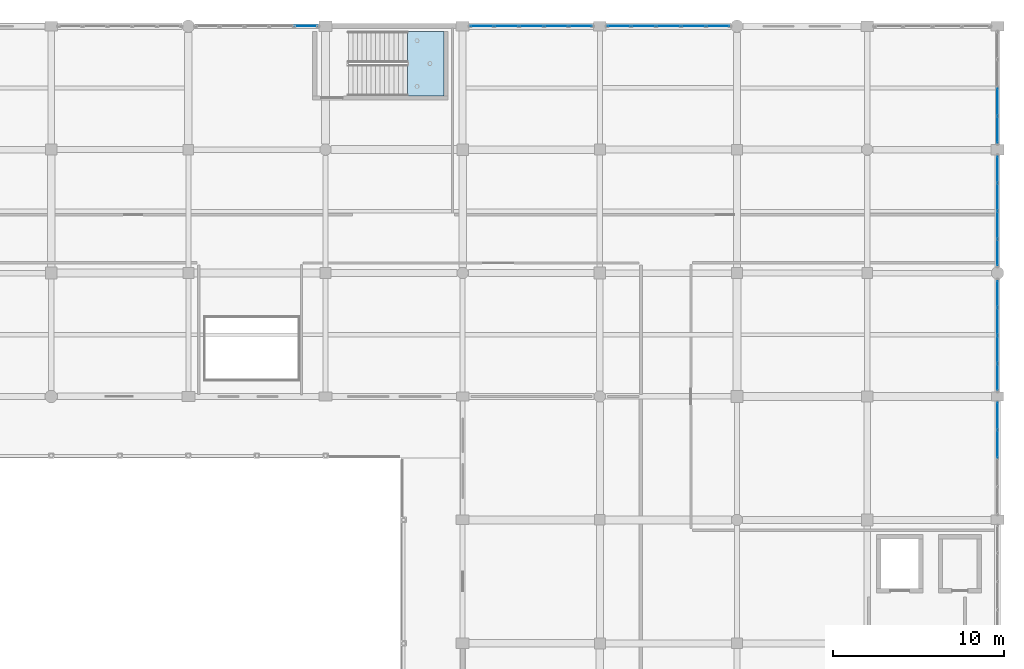
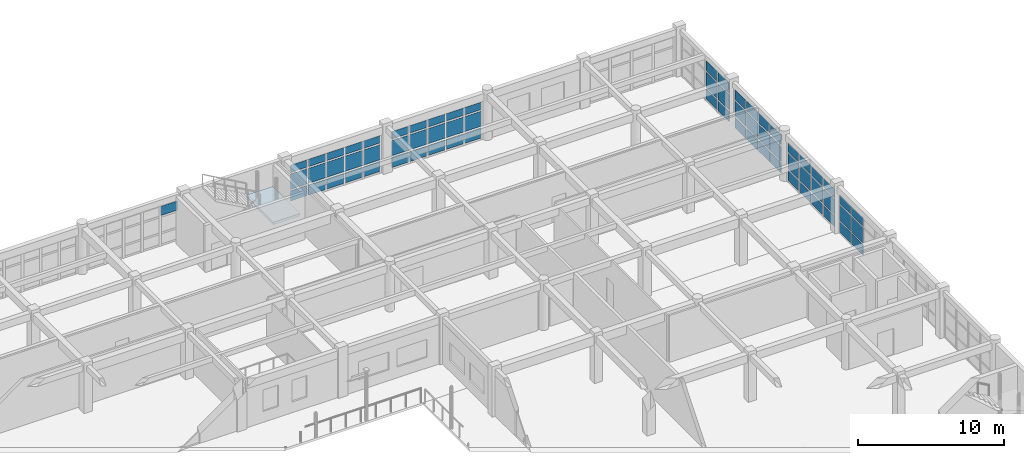
# One storey, part 155 of 195: 67 plates, 1 slab, 8 elements without a shape of their own.
"""IFC4 building model written with IfcOpenShell, lengths in metres."""

import ifcopenshell
import ifcopenshell.guid

model = None  # the IFC model being written
_history = None  # IfcOwnerHistory: only IFC2X3 demands one
_inside = {}  # id of a spatial element -> (the spatial element, [elements in it])
_under = {}  # id of a project, library or spatial element -> (it, [spatial elements below it])
_declared = {}  # id of a project -> (the project, [libraries it declares])
_typed = {}  # id of a type object -> (the type object, [elements of that type])
_made_of = {}  # id of a material, layer set ... -> (it, [elements and type objects made of it])


def new_model(schema):
    """Start an empty IFC model of exactly this schema.

    Asked for "IFC4X3", IfcOpenShell would pick the latest addendum, in which some entities
    have other attributes; the version numbers below select the first issue.
    IFC2X3 requires an IfcOwnerHistory on every rooted entity: one is made here for all.
    """
    global model, _history
    if schema == "IFC4X3":
        model = ifcopenshell.file(schema_version=(4, 3, 0, 0))
    else:
        model = ifcopenshell.file(schema=schema)
    _inside.clear()
    _under.clear()
    _declared.clear()
    _typed.clear()
    _made_of.clear()
    _history = None
    if model.schema == "IFC2X3":
        org = make("IfcOrganization", Name="unknown")
        user = make(
            "IfcPersonAndOrganization",
            ThePerson=make("IfcPerson", FamilyName="unknown"),
            TheOrganization=org,
        )
        app = make(
            "IfcApplication",
            ApplicationDeveloper=org,
            Version="unknown",
            ApplicationFullName="unknown",
            ApplicationIdentifier="unknown",
        )
        _history = make(
            "IfcOwnerHistory",
            OwningUser=user,
            OwningApplication=app,
            ChangeAction="ADDED",
            CreationDate=0,
        )
    return model


def make(cls, **values):
    """One entity of the class cls with the attributes given. An attribute that is None is left unset."""
    return model.create_entity(
        cls, **{name: value for name, value in values.items() if value is not None}
    )


def rooted(cls, **values):
    """An entity with a GlobalId (a new one), such as an element, a storey or a relation."""
    return make(cls, GlobalId=ifcopenshell.guid.new(), OwnerHistory=_history, **values)


def si_unit(unit_type, name, prefix=None):
    """IfcSIUnit, for example si_unit("LENGTHUNIT", "METRE", prefix="MILLI")."""
    return make("IfcSIUnit", UnitType=unit_type, Prefix=prefix, Name=name)


def assignment(units):
    """IfcUnitAssignment: the units of a project."""
    return None if units is None else make("IfcUnitAssignment", Units=units)


def point(xyz):
    """IfcCartesianPoint."""
    return None if xyz is None else make("IfcCartesianPoint", Coordinates=xyz)


def direction(xyz):
    """IfcDirection."""
    return None if xyz is None else make("IfcDirection", DirectionRatios=xyz)


def frame(location, z_axis=None, x_axis=None):
    """IfcAxis2Placement3D, a coordinate frame: its origin and axes. An axis left out is left unset."""
    return make(
        "IfcAxis2Placement3D",
        Location=point(location),
        Axis=direction(z_axis),
        RefDirection=direction(x_axis),
    )


def frame_2d(location, x_axis=None):
    """IfcAxis2Placement2D, a coordinate frame in the plane: its origin and x axis."""
    return make(
        "IfcAxis2Placement2D", Location=point(location), RefDirection=direction(x_axis)
    )


def origin():
    """The frame at (0, 0, 0) with its axes left unset."""
    return frame((0.0, 0.0, 0.0))


def origin_2d():
    """The frame at (0, 0) in the plane with its x axis left unset."""
    return frame_2d((0.0, 0.0))


def place(relative_to, where):
    """IfcLocalPlacement: puts the frame where relative to a parent placement (None: the world)."""
    return make(
        "IfcLocalPlacement", PlacementRelTo=relative_to, RelativePlacement=where
    )


def context(
    kind, dimensions, precision=None, world=None, true_north=None, identifier=None
):
    """IfcGeometricRepresentationContext, for example the 3D "Model" context."""
    return make(
        "IfcGeometricRepresentationContext",
        ContextIdentifier=identifier,
        ContextType=kind,
        CoordinateSpaceDimension=dimensions,
        Precision=precision,
        WorldCoordinateSystem=world,
        TrueNorth=true_north,
    )


def subcontext(parent, identifier, kind, view, scale=None):
    """IfcGeometricRepresentationSubContext, for example "Body" below "Model"."""
    return make(
        "IfcGeometricRepresentationSubContext",
        ContextIdentifier=identifier,
        ContextType=kind,
        ParentContext=parent,
        TargetScale=scale,
        TargetView=view,
    )


def project(units=None, contexts=None):
    """IfcProject with its units and contexts."""
    return rooted(
        "IfcProject",
        Name="project",
        RepresentationContexts=contexts,
        UnitsInContext=assignment(units),
    )


def spatial(cls, under=None, at=None, **own):
    """A site, building, storey or space (cls), placed at a placement, below another one or the project."""
    s = rooted(cls, ObjectPlacement=at, **own)
    if under is not None:
        _under.setdefault(under.id(), (under, []))[1].append(s)
    return s


def polyline(points):
    """IfcPolyline through the points."""
    return make("IfcPolyline", Points=[point(p) for p in points])


def profile(cls, at=None, kind="AREA", **sizes):
    """A parametric profile (cls). Its sizes go by their IFC names, for example OverallWidth=200.0."""
    return make(cls, ProfileType=kind, Position=at, **sizes)


def rectangle(**sizes):
    """IfcRectangleProfileDef."""
    return profile("IfcRectangleProfileDef", **sizes)


def outline(outer, holes=None, kind="AREA"):
    """IfcArbitraryClosedProfileDef: a profile drawn as a closed curve; with holes, ...WithVoids."""
    if holes is None:
        return make("IfcArbitraryClosedProfileDef", ProfileType=kind, OuterCurve=outer)
    return make(
        "IfcArbitraryProfileDefWithVoids",
        ProfileType=kind,
        OuterCurve=outer,
        InnerCurves=holes,
    )


def extrude(swept, where, along, depth):
    """IfcExtrudedAreaSolid: the profile swept, set in the frame where, extruded along a direction by depth."""
    return make(
        "IfcExtrudedAreaSolid",
        SweptArea=swept,
        Position=where,
        ExtrudedDirection=direction(along),
        Depth=depth,
    )


def shape(context_of_items, identifier, shape_type, items):
    """IfcShapeRepresentation: the items that make up one representation, for example the "Body"."""
    return make(
        "IfcShapeRepresentation",
        ContextOfItems=context_of_items,
        RepresentationIdentifier=identifier,
        RepresentationType=shape_type,
        Items=items,
    )


def material(Name=None, Category=None):
    """IfcMaterial."""
    return make("IfcMaterial", Name=Name, Category=Category)


def layer(
    of_material, thickness, ventilated=None, Name=None, Category=None, Priority=None
):
    """IfcMaterialLayer: one layer of a wall or slab, of a material (None: an air gap)."""
    return make(
        "IfcMaterialLayer",
        Material=of_material,
        LayerThickness=thickness,
        IsVentilated=ventilated,
        Name=Name,
        Category=Category,
        Priority=Priority,
    )


def layer_set(layers, Name=None):
    """IfcMaterialLayerSet."""
    return make("IfcMaterialLayerSet", MaterialLayers=layers, LayerSetName=Name)


def made_of(thing, what):
    """Note that an element or type object is made of a material, layer set ...; save() writes the relation."""
    if what is not None:
        _made_of.setdefault(what.id(), (what, []))[1].append(thing)
    return thing


def type_object(cls, material=None, **own):
    """A type object (cls), such as IfcWallType, which elements share."""
    return made_of(rooted(cls, **own), material)


def element(
    cls,
    number,
    at=None,
    inside=None,
    cuts=None,
    type_object=None,
    material=None,
    context=None,
    identifier="Body",
    shape_type=None,
    held_by="IfcProductDefinitionShape",
    body=None,
    shapes=None,
    **own,
):
    """One element of the class cls, such as IfcWall. Its Tag is "e" and its number.

    at: its placement. inside: the storey or other place that contains it. cuts: it is an
    opening in that element (IfcRelVoidsElement). A single representation is given by context,
    identifier, shape_type and body (its items); several are given by shapes. held_by: the class
    of the entity that holds the representations. save() writes the other relations.
    """
    e = rooted(cls, Tag="e%d" % number, ObjectPlacement=at, **own)
    if body is not None:
        shapes = [shape(context, identifier, shape_type, body)]
    if shapes is not None:
        e.Representation = make(held_by, Representations=shapes)
    if inside is not None:
        _inside.setdefault(inside.id(), (inside, []))[1].append(e)
    if cuts is not None:
        rooted(
            "IfcRelVoidsElement", RelatingBuildingElement=cuts, RelatedOpeningElement=e
        )
    if type_object is not None:
        _typed.setdefault(type_object.id(), (type_object, []))[1].append(e)
    return made_of(e, material)


def aggregate(whole, parts):
    """IfcRelAggregates: a whole, such as a stair, and the parts it consists of."""
    return rooted("IfcRelAggregates", RelatingObject=whole, RelatedObjects=parts)


def save(model, path):
    """Write the relations noted so far, then the file.

    IfcRelAggregates (storeys below a building ...), IfcRelContainedInSpatialStructure (elements
    in a storey), IfcRelDefinesByType, IfcRelAssociatesMaterial and IfcRelDeclares: one each for
    every whole, place, type object, material and project.
    """
    for whole, parts in _under.values():
        aggregate(whole, parts)
    for where, things in _inside.values():
        rooted(
            "IfcRelContainedInSpatialStructure",
            RelatedElements=things,
            RelatingStructure=where,
        )
    for kind, things in _typed.values():
        rooted("IfcRelDefinesByType", RelatedObjects=things, RelatingType=kind)
    for what, things in _made_of.values():
        rooted("IfcRelAssociatesMaterial", RelatedObjects=things, RelatingMaterial=what)
    for by, libraries in _declared.values():
        rooted("IfcRelDeclares", RelatingContext=by, RelatedDefinitions=libraries)
    model.write(path)


model = new_model("IFC4")

# Units and contexts
model_context = context("Model", 3, precision=1e-05, world=origin(), true_north=direction((0.0, 1.0)))
body_context = subcontext(model_context, "Body", "Model", "MODEL_VIEW")
ifc_project = project(units=[si_unit("LENGTHUNIT", "METRE"), si_unit("AREAUNIT", "SQUARE_METRE"), si_unit("VOLUMEUNIT", "CUBIC_METRE"), si_unit("PLANEANGLEUNIT", "RADIAN"), si_unit("MASSUNIT", "GRAM", prefix="KILO")], contexts=[model_context])

# Site, building, storey
site_placement = place(None, origin())
site = spatial("IfcSite", under=ifc_project, at=site_placement, CompositionType="ELEMENT")
building_placement = place(site_placement, origin())
building = spatial("IfcBuilding", under=site, at=building_placement, Name="Kharva Crest Polytechnic", CompositionType="ELEMENT")
storey_placement = place(building_placement, frame((0.0, 0.0, 9.0)))
storey = spatial("IfcBuildingStorey", under=building, at=storey_placement, Name="L02", CompositionType="ELEMENT", Elevation=9.0)

# Curtain wall, plates
ifc_material_1 = material(Name="Tempered insulated glass", Category="glass")
curtain_wall_type_1 = type_object("IfcCurtainWallType", Name="CW-SYS-COURT", PredefinedType="USERDEFINED", material=ifc_material_1)
curtain_wall_1_placement = place(storey_placement, origin())
curtain_wall_1 = element("IfcCurtainWall", 1, at=curtain_wall_1_placement, inside=storey, type_object=curtain_wall_type_1, Name="L02 Glazed Curtain Wall CW-109", ObjectType="CURTAIN WALL", PredefinedType="USERDEFINED")
ifc_layer_1 = layer(ifc_material_1, 0.02392578125, Name="Tempered insulated glass")
ifc_layer_set_1 = layer_set([ifc_layer_1], Name="Tempered insulated glass")
plate_type_1 = type_object("IfcPlateType", Name="CWP-GLZ-24", PredefinedType="CURTAIN_PANEL", material=ifc_layer_set_1)
plate_1_placement = place(storey_placement, frame((184.0, 97.6298828125, 0.119873046875), z_axis=(0.0, 0.0, 1.0), x_axis=(0.0, 1.0, 0.0)))
plate_1 = element("IfcPlate", 2, at=plate_1_placement, type_object=plate_type_1, Name="CW-109 panel 3.1", PredefinedType="CURTAIN_PANEL", context=body_context, shape_type="SweptSolid", body=[
    extrude(rectangle(XDim=1.580078125, YDim=0.02392578125, at=origin_2d()), origin(), (0.0, 0.0, 1.0), 0.8701171875),
])
plate_2_placement = place(storey_placement, frame((184.0, 97.6298828125, 1.10986328125), z_axis=(0.0, 0.0, 1.0), x_axis=(0.0, 1.0, 0.0)))
plate_2 = element("IfcPlate", 3, at=plate_2_placement, type_object=plate_type_1, Name="CW-109 panel 3.2", PredefinedType="CURTAIN_PANEL", context=body_context, shape_type="SweptSolid", body=[
    extrude(rectangle(XDim=1.580078125, YDim=0.02392578125, at=origin_2d()), origin(), (0.0, 0.0, 1.0), 1.280029296875),
])
plate_3_placement = place(storey_placement, frame((184.0, 97.6298828125, 2.510009765625), z_axis=(0.0, 0.0, 1.0), x_axis=(0.0, 1.0, 0.0)))
plate_3 = element("IfcPlate", 4, at=plate_3_placement, type_object=plate_type_1, Name="CW-109 panel 3.3", PredefinedType="CURTAIN_PANEL", context=body_context, shape_type="SweptSolid", body=[
    extrude(rectangle(XDim=1.580078125, YDim=0.02392578125, at=origin_2d()), origin(), (0.0, 0.0, 1.0), 0.7099609375),
])
plate_4_placement = place(storey_placement, frame((184.0, 99.27001953125, 0.119873046875), z_axis=(0.0, 0.0, 1.0), x_axis=(0.0, 1.0, 0.0)))
plate_4 = element("IfcPlate", 5, at=plate_4_placement, type_object=plate_type_1, Name="CW-109 panel 4.1", PredefinedType="CURTAIN_PANEL", context=body_context, shape_type="SweptSolid", body=[
    extrude(rectangle(XDim=1.5400390625, YDim=0.02392578125, at=origin_2d()), origin(), (0.0, 0.0, 1.0), 0.8701171875),
])
plate_5_placement = place(storey_placement, frame((184.0, 99.27001953125, 1.10986328125), z_axis=(0.0, 0.0, 1.0), x_axis=(0.0, 1.0, 0.0)))
plate_5 = element("IfcPlate", 6, at=plate_5_placement, type_object=plate_type_1, Name="CW-109 panel 4.2", PredefinedType="CURTAIN_PANEL", context=body_context, shape_type="SweptSolid", body=[
    extrude(rectangle(XDim=1.5400390625, YDim=0.02392578125, at=origin_2d()), origin(), (0.0, 0.0, 1.0), 1.280029296875),
])
plate_6_placement = place(storey_placement, frame((184.0, 99.27001953125, 2.510009765625), z_axis=(0.0, 0.0, 1.0), x_axis=(0.0, 1.0, 0.0)))
plate_6 = element("IfcPlate", 7, at=plate_6_placement, type_object=plate_type_1, Name="CW-109 panel 4.3", PredefinedType="CURTAIN_PANEL", context=body_context, shape_type="SweptSolid", body=[
    extrude(rectangle(XDim=1.5400390625, YDim=0.02392578125, at=origin_2d()), origin(), (0.0, 0.0, 1.0), 0.7099609375),
])
aggregate(curtain_wall_1, [plate_1, plate_2, plate_3, plate_4, plate_5, plate_6])

curtain_wall_type_2 = type_object("IfcCurtainWallType", Name="CW-SYS-LIBRARY", PredefinedType="USERDEFINED", material=ifc_material_1)
curtain_wall_2_placement = place(storey_placement, origin())
curtain_wall_2 = element("IfcCurtainWall", 8, at=curtain_wall_2_placement, inside=storey, type_object=curtain_wall_type_2, Name="L02 Glazed Curtain Wall CW-110", ObjectType="CURTAIN WALL", PredefinedType="USERDEFINED")
ifc_layer_2 = layer(ifc_material_1, 0.031982421875, Name="Tempered insulated glass")
ifc_layer_set_2 = layer_set([ifc_layer_2], Name="Tempered insulated glass")
plate_type_2 = type_object("IfcPlateType", Name="CWP-GLZ-32", PredefinedType="CURTAIN_PANEL", material=ifc_layer_set_2)
plate_7_placement = place(storey_placement, frame((184.0, 101.5244140625, 0.14013671875), z_axis=(0.0, 0.0, 1.0), x_axis=(0.0, 1.0, 0.0)))
plate_7 = element("IfcPlate", 9, at=plate_7_placement, type_object=plate_type_2, Name="CW-110 panel 1.1", PredefinedType="CURTAIN_PANEL", context=body_context, shape_type="SweptSolid", body=[
    extrude(rectangle(XDim=1.48876953125, YDim=0.031982421875, at=origin_2d()), origin(), (0.0, 0.0, 1.0), 0.840087890625),
])
plate_8_placement = place(storey_placement, frame((184.0, 101.5244140625, 1.1201171875), z_axis=(0.0, 0.0, 1.0), x_axis=(0.0, 1.0, 0.0)))
plate_8 = element("IfcPlate", 10, at=plate_8_placement, type_object=plate_type_2, Name="CW-110 panel 1.2", PredefinedType="CURTAIN_PANEL", context=body_context, shape_type="SweptSolid", body=[
    extrude(rectangle(XDim=1.48876953125, YDim=0.031982421875, at=origin_2d()), origin(), (0.0, 0.0, 1.0), 1.260009765625),
])
plate_9_placement = place(storey_placement, frame((184.0, 101.5244140625, 2.52001953125), z_axis=(0.0, 0.0, 1.0), x_axis=(0.0, 1.0, 0.0)))
plate_9 = element("IfcPlate", 11, at=plate_9_placement, type_object=plate_type_2, Name="CW-110 panel 1.3", PredefinedType="CURTAIN_PANEL", context=body_context, shape_type="SweptSolid", body=[
    extrude(rectangle(XDim=1.48876953125, YDim=0.031982421875, at=origin_2d()), origin(), (0.0, 0.0, 1.0), 0.739990234375),
])
plate_10_placement = place(storey_placement, frame((184.0, 103.13818359375, 0.14013671875), z_axis=(0.0, 0.0, 1.0), x_axis=(0.0, 1.0, 0.0)))
plate_10 = element("IfcPlate", 12, at=plate_10_placement, type_object=plate_type_2, Name="CW-110 panel 2.1", PredefinedType="CURTAIN_PANEL", context=body_context, shape_type="SweptSolid", body=[
    extrude(rectangle(XDim=1.538818359375, YDim=0.031982421875, at=origin_2d()), origin(), (0.0, 0.0, 1.0), 0.840087890625),
])
plate_11_placement = place(storey_placement, frame((184.0, 103.13818359375, 1.1201171875), z_axis=(0.0, 0.0, 1.0), x_axis=(0.0, 1.0, 0.0)))
plate_11 = element("IfcPlate", 13, at=plate_11_placement, type_object=plate_type_2, Name="CW-110 panel 2.2", PredefinedType="CURTAIN_PANEL", context=body_context, shape_type="SweptSolid", body=[
    extrude(rectangle(XDim=1.538818359375, YDim=0.031982421875, at=origin_2d()), origin(), (0.0, 0.0, 1.0), 1.260009765625),
])
plate_12_placement = place(storey_placement, frame((184.0, 103.13818359375, 2.52001953125), z_axis=(0.0, 0.0, 1.0), x_axis=(0.0, 1.0, 0.0)))
plate_12 = element("IfcPlate", 14, at=plate_12_placement, type_object=plate_type_2, Name="CW-110 panel 2.3", PredefinedType="CURTAIN_PANEL", context=body_context, shape_type="SweptSolid", body=[
    extrude(rectangle(XDim=1.538818359375, YDim=0.031982421875, at=origin_2d()), origin(), (0.0, 0.0, 1.0), 0.739990234375),
])
plate_13_placement = place(storey_placement, frame((184.0, 104.77685546875, 0.14013671875), z_axis=(0.0, 0.0, 1.0), x_axis=(0.0, 1.0, 0.0)))
plate_13 = element("IfcPlate", 15, at=plate_13_placement, type_object=plate_type_2, Name="CW-110 panel 3.1", PredefinedType="CURTAIN_PANEL", context=body_context, shape_type="SweptSolid", body=[
    extrude(rectangle(XDim=1.538818359375, YDim=0.031982421875, at=origin_2d()), origin(), (0.0, 0.0, 1.0), 0.840087890625),
])
plate_14_placement = place(storey_placement, frame((184.0, 104.77685546875, 1.1201171875), z_axis=(0.0, 0.0, 1.0), x_axis=(0.0, 1.0, 0.0)))
plate_14 = element("IfcPlate", 16, at=plate_14_placement, type_object=plate_type_2, Name="CW-110 panel 3.2", PredefinedType="CURTAIN_PANEL", context=body_context, shape_type="SweptSolid", body=[
    extrude(rectangle(XDim=1.538818359375, YDim=0.031982421875, at=origin_2d()), origin(), (0.0, 0.0, 1.0), 1.260009765625),
])
plate_15_placement = place(storey_placement, frame((184.0, 104.77685546875, 2.52001953125), z_axis=(0.0, 0.0, 1.0), x_axis=(0.0, 1.0, 0.0)))
plate_15 = element("IfcPlate", 17, at=plate_15_placement, type_object=plate_type_2, Name="CW-110 panel 3.3", PredefinedType="CURTAIN_PANEL", context=body_context, shape_type="SweptSolid", body=[
    extrude(rectangle(XDim=1.538818359375, YDim=0.031982421875, at=origin_2d()), origin(), (0.0, 0.0, 1.0), 0.739990234375),
])
plate_16_placement = place(storey_placement, frame((184.0, 106.390625, 0.14013671875), z_axis=(0.0, 0.0, 1.0), x_axis=(0.0, 1.0, 0.0)))
plate_16 = element("IfcPlate", 18, at=plate_16_placement, type_object=plate_type_2, Name="CW-110 panel 4.1", PredefinedType="CURTAIN_PANEL", context=body_context, shape_type="SweptSolid", body=[
    extrude(rectangle(XDim=1.48876953125, YDim=0.031982421875, at=origin_2d()), origin(), (0.0, 0.0, 1.0), 0.840087890625),
])
plate_17_placement = place(storey_placement, frame((184.0, 106.390625, 1.1201171875), z_axis=(0.0, 0.0, 1.0), x_axis=(0.0, 1.0, 0.0)))
plate_17 = element("IfcPlate", 19, at=plate_17_placement, type_object=plate_type_2, Name="CW-110 panel 4.2", PredefinedType="CURTAIN_PANEL", context=body_context, shape_type="SweptSolid", body=[
    extrude(rectangle(XDim=1.48876953125, YDim=0.031982421875, at=origin_2d()), origin(), (0.0, 0.0, 1.0), 1.260009765625),
])
plate_18_placement = place(storey_placement, frame((184.0, 106.390625, 2.52001953125), z_axis=(0.0, 0.0, 1.0), x_axis=(0.0, 1.0, 0.0)))
plate_18 = element("IfcPlate", 20, at=plate_18_placement, type_object=plate_type_2, Name="CW-110 panel 4.3", PredefinedType="CURTAIN_PANEL", context=body_context, shape_type="SweptSolid", body=[
    extrude(rectangle(XDim=1.48876953125, YDim=0.031982421875, at=origin_2d()), origin(), (0.0, 0.0, 1.0), 0.739990234375),
])
aggregate(curtain_wall_2, [plate_7, plate_8, plate_9, plate_10, plate_11, plate_12, plate_13, plate_14, plate_15, plate_16, plate_17, plate_18])

curtain_wall_3_placement = place(storey_placement, origin())
curtain_wall_3 = element("IfcCurtainWall", 21, at=curtain_wall_3_placement, inside=storey, type_object=curtain_wall_type_2, Name="L02 Glazed Curtain Wall CW-111", ObjectType="CURTAIN WALL", PredefinedType="USERDEFINED")
plate_19_placement = place(storey_placement, frame((184.0, 108.80615234375, 0.14013671875), z_axis=(0.0, 0.0, 1.0), x_axis=(0.0, 1.0, 0.0)))
plate_19 = element("IfcPlate", 22, at=plate_19_placement, type_object=plate_type_2, Name="CW-111 panel 1.1", PredefinedType="CURTAIN_PANEL", context=body_context, shape_type="SweptSolid", body=[
    extrude(rectangle(XDim=1.482421875, YDim=0.031982421875, at=origin_2d()), origin(), (0.0, 0.0, 1.0), 0.840087890625),
])
plate_20_placement = place(storey_placement, frame((184.0, 108.80615234375, 1.1201171875), z_axis=(0.0, 0.0, 1.0), x_axis=(0.0, 1.0, 0.0)))
plate_20 = element("IfcPlate", 23, at=plate_20_placement, type_object=plate_type_2, Name="CW-111 panel 1.2", PredefinedType="CURTAIN_PANEL", context=body_context, shape_type="SweptSolid", body=[
    extrude(rectangle(XDim=1.482421875, YDim=0.031982421875, at=origin_2d()), origin(), (0.0, 0.0, 1.0), 1.260009765625),
])
plate_21_placement = place(storey_placement, frame((184.0, 108.80615234375, 2.52001953125), z_axis=(0.0, 0.0, 1.0), x_axis=(0.0, 1.0, 0.0)))
plate_21 = element("IfcPlate", 24, at=plate_21_placement, type_object=plate_type_2, Name="CW-111 panel 1.3", PredefinedType="CURTAIN_PANEL", context=body_context, shape_type="SweptSolid", body=[
    extrude(rectangle(XDim=1.482421875, YDim=0.031982421875, at=origin_2d()), origin(), (0.0, 0.0, 1.0), 0.800048828125),
])
plate_22_placement = place(storey_placement, frame((184.0, 110.413818359375, 0.14013671875), z_axis=(0.0, 0.0, 1.0), x_axis=(0.0, 1.0, 0.0)))
plate_22 = element("IfcPlate", 25, at=plate_22_placement, type_object=plate_type_2, Name="CW-111 panel 2.1", PredefinedType="CURTAIN_PANEL", context=body_context, shape_type="SweptSolid", body=[
    extrude(rectangle(XDim=1.532470703125, YDim=0.031982421875, at=origin_2d()), origin(), (0.0, 0.0, 1.0), 0.840087890625),
])
plate_23_placement = place(storey_placement, frame((184.0, 110.413818359375, 1.1201171875), z_axis=(0.0, 0.0, 1.0), x_axis=(0.0, 1.0, 0.0)))
plate_23 = element("IfcPlate", 26, at=plate_23_placement, type_object=plate_type_2, Name="CW-111 panel 2.2", PredefinedType="CURTAIN_PANEL", context=body_context, shape_type="SweptSolid", body=[
    extrude(rectangle(XDim=1.532470703125, YDim=0.031982421875, at=origin_2d()), origin(), (0.0, 0.0, 1.0), 1.260009765625),
])
plate_24_placement = place(storey_placement, frame((184.0, 110.413818359375, 2.52001953125), z_axis=(0.0, 0.0, 1.0), x_axis=(0.0, 1.0, 0.0)))
plate_24 = element("IfcPlate", 27, at=plate_24_placement, type_object=plate_type_2, Name="CW-111 panel 2.3", PredefinedType="CURTAIN_PANEL", context=body_context, shape_type="SweptSolid", body=[
    extrude(rectangle(XDim=1.532470703125, YDim=0.031982421875, at=origin_2d()), origin(), (0.0, 0.0, 1.0), 0.800048828125),
])
plate_25_placement = place(storey_placement, frame((184.0, 112.046142578125, 0.14013671875), z_axis=(0.0, 0.0, 1.0), x_axis=(0.0, 1.0, 0.0)))
plate_25 = element("IfcPlate", 28, at=plate_25_placement, type_object=plate_type_2, Name="CW-111 panel 3.1", PredefinedType="CURTAIN_PANEL", context=body_context, shape_type="SweptSolid", body=[
    extrude(rectangle(XDim=1.532470703125, YDim=0.031982421875, at=origin_2d()), origin(), (0.0, 0.0, 1.0), 0.840087890625),
])
plate_26_placement = place(storey_placement, frame((184.0, 112.046142578125, 1.1201171875), z_axis=(0.0, 0.0, 1.0), x_axis=(0.0, 1.0, 0.0)))
plate_26 = element("IfcPlate", 29, at=plate_26_placement, type_object=plate_type_2, Name="CW-111 panel 3.2", PredefinedType="CURTAIN_PANEL", context=body_context, shape_type="SweptSolid", body=[
    extrude(rectangle(XDim=1.532470703125, YDim=0.031982421875, at=origin_2d()), origin(), (0.0, 0.0, 1.0), 1.260009765625),
])
plate_27_placement = place(storey_placement, frame((184.0, 112.046142578125, 2.52001953125), z_axis=(0.0, 0.0, 1.0), x_axis=(0.0, 1.0, 0.0)))
plate_27 = element("IfcPlate", 30, at=plate_27_placement, type_object=plate_type_2, Name="CW-111 panel 3.3", PredefinedType="CURTAIN_PANEL", context=body_context, shape_type="SweptSolid", body=[
    extrude(rectangle(XDim=1.532470703125, YDim=0.031982421875, at=origin_2d()), origin(), (0.0, 0.0, 1.0), 0.800048828125),
])
plate_28_placement = place(storey_placement, frame((184.0, 113.65380859375, 0.14013671875), z_axis=(0.0, 0.0, 1.0), x_axis=(0.0, 1.0, 0.0)))
plate_28 = element("IfcPlate", 31, at=plate_28_placement, type_object=plate_type_2, Name="CW-111 panel 4.1", PredefinedType="CURTAIN_PANEL", context=body_context, shape_type="SweptSolid", body=[
    extrude(rectangle(XDim=1.482421875, YDim=0.031982421875, at=origin_2d()), origin(), (0.0, 0.0, 1.0), 0.840087890625),
])
plate_29_placement = place(storey_placement, frame((184.0, 113.65380859375, 1.1201171875), z_axis=(0.0, 0.0, 1.0), x_axis=(0.0, 1.0, 0.0)))
plate_29 = element("IfcPlate", 32, at=plate_29_placement, type_object=plate_type_2, Name="CW-111 panel 4.2", PredefinedType="CURTAIN_PANEL", context=body_context, shape_type="SweptSolid", body=[
    extrude(rectangle(XDim=1.482421875, YDim=0.031982421875, at=origin_2d()), origin(), (0.0, 0.0, 1.0), 1.260009765625),
])
plate_30_placement = place(storey_placement, frame((184.0, 113.65380859375, 2.52001953125), z_axis=(0.0, 0.0, 1.0), x_axis=(0.0, 1.0, 0.0)))
plate_30 = element("IfcPlate", 33, at=plate_30_placement, type_object=plate_type_2, Name="CW-111 panel 4.3", PredefinedType="CURTAIN_PANEL", context=body_context, shape_type="SweptSolid", body=[
    extrude(rectangle(XDim=1.482421875, YDim=0.031982421875, at=origin_2d()), origin(), (0.0, 0.0, 1.0), 0.800048828125),
])
aggregate(curtain_wall_3, [plate_19, plate_20, plate_21, plate_22, plate_23, plate_24, plate_25, plate_26, plate_27, plate_28, plate_29, plate_30])

curtain_wall_4_placement = place(storey_placement, origin())
curtain_wall_4 = element("IfcCurtainWall", 34, at=curtain_wall_4_placement, inside=storey, type_object=curtain_wall_type_2, Name="L02 Glazed Curtain Wall CW-112", ObjectType="CURTAIN WALL", PredefinedType="USERDEFINED")
plate_31_placement = place(storey_placement, frame((184.0, 115.956787109375, 0.14013671875), z_axis=(0.0, 0.0, 1.0), x_axis=(0.0, 1.0, 0.0)))
plate_31 = element("IfcPlate", 35, at=plate_31_placement, type_object=plate_type_2, Name="CW-112 panel 1.1", PredefinedType="CURTAIN_PANEL", context=body_context, shape_type="SweptSolid", body=[
    extrude(rectangle(XDim=1.503662109375, YDim=0.031982421875, at=origin_2d()), origin(), (0.0, 0.0, 1.0), 0.840087890625),
])
plate_32_placement = place(storey_placement, frame((184.0, 115.956787109375, 1.1201171875), z_axis=(0.0, 0.0, 1.0), x_axis=(0.0, 1.0, 0.0)))
plate_32 = element("IfcPlate", 36, at=plate_32_placement, type_object=plate_type_2, Name="CW-112 panel 1.2", PredefinedType="CURTAIN_PANEL", context=body_context, shape_type="SweptSolid", body=[
    extrude(rectangle(XDim=1.503662109375, YDim=0.031982421875, at=origin_2d()), origin(), (0.0, 0.0, 1.0), 1.260009765625),
])
plate_33_placement = place(storey_placement, frame((184.0, 115.956787109375, 2.52001953125), z_axis=(0.0, 0.0, 1.0), x_axis=(0.0, 1.0, 0.0)))
plate_33 = element("IfcPlate", 37, at=plate_33_placement, type_object=plate_type_2, Name="CW-112 panel 1.3", PredefinedType="CURTAIN_PANEL", context=body_context, shape_type="SweptSolid", body=[
    extrude(rectangle(XDim=1.503662109375, YDim=0.031982421875, at=origin_2d()), origin(), (0.0, 0.0, 1.0), 0.820068359375),
])
plate_34_placement = place(storey_placement, frame((184.0, 117.585693359375, 0.14013671875), z_axis=(0.0, 0.0, 1.0), x_axis=(0.0, 1.0, 0.0)))
plate_34 = element("IfcPlate", 38, at=plate_34_placement, type_object=plate_type_2, Name="CW-112 panel 2.1", PredefinedType="CURTAIN_PANEL", context=body_context, shape_type="SweptSolid", body=[
    extrude(rectangle(XDim=1.5537109375, YDim=0.031982421875, at=origin_2d()), origin(), (0.0, 0.0, 1.0), 0.840087890625),
])
plate_35_placement = place(storey_placement, frame((184.0, 117.585693359375, 1.1201171875), z_axis=(0.0, 0.0, 1.0), x_axis=(0.0, 1.0, 0.0)))
plate_35 = element("IfcPlate", 39, at=plate_35_placement, type_object=plate_type_2, Name="CW-112 panel 2.2", PredefinedType="CURTAIN_PANEL", context=body_context, shape_type="SweptSolid", body=[
    extrude(rectangle(XDim=1.5537109375, YDim=0.031982421875, at=origin_2d()), origin(), (0.0, 0.0, 1.0), 1.260009765625),
])
plate_36_placement = place(storey_placement, frame((184.0, 117.585693359375, 2.52001953125), z_axis=(0.0, 0.0, 1.0), x_axis=(0.0, 1.0, 0.0)))
plate_36 = element("IfcPlate", 40, at=plate_36_placement, type_object=plate_type_2, Name="CW-112 panel 2.3", PredefinedType="CURTAIN_PANEL", context=body_context, shape_type="SweptSolid", body=[
    extrude(rectangle(XDim=1.5537109375, YDim=0.031982421875, at=origin_2d()), origin(), (0.0, 0.0, 1.0), 0.820068359375),
])
aggregate(curtain_wall_4, [plate_31, plate_32, plate_33, plate_34, plate_35, plate_36])

curtain_wall_5_placement = place(storey_placement, origin())
curtain_wall_5 = element("IfcCurtainWall", 41, at=curtain_wall_5_placement, inside=storey, type_object=curtain_wall_type_2, Name="L02 Glazed Curtain Wall CW-114", ObjectType="CURTAIN WALL", PredefinedType="USERDEFINED")
plate_37_placement = place(storey_placement, frame((167.68310546875, 122.0, 0.14013671875), z_axis=(0.0, 0.0, 1.0), x_axis=(-1.0, 0.0, 0.0)))
plate_37 = element("IfcPlate", 42, at=plate_37_placement, type_object=plate_type_2, Name="CW-114 panel 1.1", PredefinedType="CURTAIN_PANEL", context=body_context, shape_type="SweptSolid", body=[
    extrude(rectangle(XDim=1.303955078125, YDim=0.031982421875, at=origin_2d()), origin(), (0.0, 0.0, 1.0), 0.840087890625),
])
plate_38_placement = place(storey_placement, frame((167.68310546875, 122.0, 1.1201171875), z_axis=(0.0, 0.0, 1.0), x_axis=(-1.0, 0.0, 0.0)))
plate_38 = element("IfcPlate", 43, at=plate_38_placement, type_object=plate_type_2, Name="CW-114 panel 1.2", PredefinedType="CURTAIN_PANEL", context=body_context, shape_type="SweptSolid", body=[
    extrude(rectangle(XDim=1.303955078125, YDim=0.031982421875, at=origin_2d()), origin(), (0.0, 0.0, 1.0), 1.260009765625),
])
plate_39_placement = place(storey_placement, frame((167.68310546875, 122.0, 2.52001953125), z_axis=(0.0, 0.0, 1.0), x_axis=(-1.0, 0.0, 0.0)))
plate_39 = element("IfcPlate", 44, at=plate_39_placement, type_object=plate_type_2, Name="CW-114 panel 1.3", PredefinedType="CURTAIN_PANEL", context=body_context, shape_type="SweptSolid", body=[
    extrude(rectangle(XDim=1.303955078125, YDim=0.031982421875, at=origin_2d()), origin(), (0.0, 0.0, 1.0), 0.610107421875),
])
plate_40_placement = place(storey_placement, frame((166.25390625, 122.0, 0.14013671875), z_axis=(0.0, 0.0, 1.0), x_axis=(-1.0, 0.0, 0.0)))
plate_40 = element("IfcPlate", 45, at=plate_40_placement, type_object=plate_type_2, Name="CW-114 panel 2.1", PredefinedType="CURTAIN_PANEL", context=body_context, shape_type="SweptSolid", body=[
    extrude(rectangle(XDim=1.35400390625, YDim=0.031982421875, at=origin_2d()), origin(), (0.0, 0.0, 1.0), 0.840087890625),
])
plate_41_placement = place(storey_placement, frame((166.25390625, 122.0, 1.1201171875), z_axis=(0.0, 0.0, 1.0), x_axis=(-1.0, 0.0, 0.0)))
plate_41 = element("IfcPlate", 46, at=plate_41_placement, type_object=plate_type_2, Name="CW-114 panel 2.2", PredefinedType="CURTAIN_PANEL", context=body_context, shape_type="SweptSolid", body=[
    extrude(rectangle(XDim=1.35400390625, YDim=0.031982421875, at=origin_2d()), origin(), (0.0, 0.0, 1.0), 1.260009765625),
])
plate_42_placement = place(storey_placement, frame((166.25390625, 122.0, 2.52001953125), z_axis=(0.0, 0.0, 1.0), x_axis=(-1.0, 0.0, 0.0)))
plate_42 = element("IfcPlate", 47, at=plate_42_placement, type_object=plate_type_2, Name="CW-114 panel 2.3", PredefinedType="CURTAIN_PANEL", context=body_context, shape_type="SweptSolid", body=[
    extrude(rectangle(XDim=1.35400390625, YDim=0.031982421875, at=origin_2d()), origin(), (0.0, 0.0, 1.0), 0.610107421875),
])
plate_43_placement = place(storey_placement, frame((164.800048828125, 122.0, 0.14013671875), z_axis=(0.0, 0.0, 1.0), x_axis=(-1.0, 0.0, 0.0)))
plate_43 = element("IfcPlate", 48, at=plate_43_placement, type_object=plate_type_2, Name="CW-114 panel 3.1", PredefinedType="CURTAIN_PANEL", context=body_context, shape_type="SweptSolid", body=[
    extrude(rectangle(XDim=1.35400390625, YDim=0.031982421875, at=origin_2d()), origin(), (0.0, 0.0, 1.0), 0.840087890625),
])
plate_44_placement = place(storey_placement, frame((164.800048828125, 122.0, 1.1201171875), z_axis=(0.0, 0.0, 1.0), x_axis=(-1.0, 0.0, 0.0)))
plate_44 = element("IfcPlate", 49, at=plate_44_placement, type_object=plate_type_2, Name="CW-114 panel 3.2", PredefinedType="CURTAIN_PANEL", context=body_context, shape_type="SweptSolid", body=[
    extrude(rectangle(XDim=1.35400390625, YDim=0.031982421875, at=origin_2d()), origin(), (0.0, 0.0, 1.0), 1.260009765625),
])
plate_45_placement = place(storey_placement, frame((164.800048828125, 122.0, 2.52001953125), z_axis=(0.0, 0.0, 1.0), x_axis=(-1.0, 0.0, 0.0)))
plate_45 = element("IfcPlate", 50, at=plate_45_placement, type_object=plate_type_2, Name="CW-114 panel 3.3", PredefinedType="CURTAIN_PANEL", context=body_context, shape_type="SweptSolid", body=[
    extrude(rectangle(XDim=1.35400390625, YDim=0.031982421875, at=origin_2d()), origin(), (0.0, 0.0, 1.0), 0.610107421875),
])
plate_46_placement = place(storey_placement, frame((163.345947265625, 122.0, 0.14013671875), z_axis=(0.0, 0.0, 1.0), x_axis=(-1.0, 0.0, 0.0)))
plate_46 = element("IfcPlate", 51, at=plate_46_placement, type_object=plate_type_2, Name="CW-114 panel 4.1", PredefinedType="CURTAIN_PANEL", context=body_context, shape_type="SweptSolid", body=[
    extrude(rectangle(XDim=1.35400390625, YDim=0.031982421875, at=origin_2d()), origin(), (0.0, 0.0, 1.0), 0.840087890625),
])
plate_47_placement = place(storey_placement, frame((163.345947265625, 122.0, 1.1201171875), z_axis=(0.0, 0.0, 1.0), x_axis=(-1.0, 0.0, 0.0)))
plate_47 = element("IfcPlate", 52, at=plate_47_placement, type_object=plate_type_2, Name="CW-114 panel 4.2", PredefinedType="CURTAIN_PANEL", context=body_context, shape_type="SweptSolid", body=[
    extrude(rectangle(XDim=1.35400390625, YDim=0.031982421875, at=origin_2d()), origin(), (0.0, 0.0, 1.0), 1.260009765625),
])
plate_48_placement = place(storey_placement, frame((163.345947265625, 122.0, 2.52001953125), z_axis=(0.0, 0.0, 1.0), x_axis=(-1.0, 0.0, 0.0)))
plate_48 = element("IfcPlate", 53, at=plate_48_placement, type_object=plate_type_2, Name="CW-114 panel 4.3", PredefinedType="CURTAIN_PANEL", context=body_context, shape_type="SweptSolid", body=[
    extrude(rectangle(XDim=1.35400390625, YDim=0.031982421875, at=origin_2d()), origin(), (0.0, 0.0, 1.0), 0.610107421875),
])
plate_49_placement = place(storey_placement, frame((161.9169921875, 122.0, 0.14013671875), z_axis=(0.0, 0.0, 1.0), x_axis=(-1.0, 0.0, 0.0)))
plate_49 = element("IfcPlate", 54, at=plate_49_placement, type_object=plate_type_2, Name="CW-114 panel 5.1", PredefinedType="CURTAIN_PANEL", context=body_context, shape_type="SweptSolid", body=[
    extrude(rectangle(XDim=1.303955078125, YDim=0.031982421875, at=origin_2d()), origin(), (0.0, 0.0, 1.0), 0.840087890625),
])
plate_50_placement = place(storey_placement, frame((161.9169921875, 122.0, 1.1201171875), z_axis=(0.0, 0.0, 1.0), x_axis=(-1.0, 0.0, 0.0)))
plate_50 = element("IfcPlate", 55, at=plate_50_placement, type_object=plate_type_2, Name="CW-114 panel 5.2", PredefinedType="CURTAIN_PANEL", context=body_context, shape_type="SweptSolid", body=[
    extrude(rectangle(XDim=1.303955078125, YDim=0.031982421875, at=origin_2d()), origin(), (0.0, 0.0, 1.0), 1.260009765625),
])
plate_51_placement = place(storey_placement, frame((161.9169921875, 122.0, 2.52001953125), z_axis=(0.0, 0.0, 1.0), x_axis=(-1.0, 0.0, 0.0)))
plate_51 = element("IfcPlate", 56, at=plate_51_placement, type_object=plate_type_2, Name="CW-114 panel 5.3", PredefinedType="CURTAIN_PANEL", context=body_context, shape_type="SweptSolid", body=[
    extrude(rectangle(XDim=1.303955078125, YDim=0.031982421875, at=origin_2d()), origin(), (0.0, 0.0, 1.0), 0.610107421875),
])
aggregate(curtain_wall_5, [plate_37, plate_38, plate_39, plate_40, plate_41, plate_42, plate_43, plate_44, plate_45, plate_46, plate_47, plate_48, plate_49, plate_50, plate_51])

curtain_wall_6_placement = place(storey_placement, origin())
curtain_wall_6 = element("IfcCurtainWall", 57, at=curtain_wall_6_placement, inside=storey, type_object=curtain_wall_type_2, Name="L02 Glazed Curtain Wall CW-115", ObjectType="CURTAIN WALL", PredefinedType="USERDEFINED")
plate_52_placement = place(storey_placement, frame((159.6845703125, 122.0, 0.14013671875), z_axis=(0.0, 0.0, 1.0), x_axis=(-1.0, 0.0, 0.0)))
plate_52 = element("IfcPlate", 58, at=plate_52_placement, type_object=plate_type_2, Name="CW-115 panel 1.1", PredefinedType="CURTAIN_PANEL", context=body_context, shape_type="SweptSolid", body=[
    extrude(rectangle(XDim=1.301025390625, YDim=0.031982421875, at=origin_2d()), origin(), (0.0, 0.0, 1.0), 0.840087890625),
])
plate_53_placement = place(storey_placement, frame((159.6845703125, 122.0, 1.1201171875), z_axis=(0.0, 0.0, 1.0), x_axis=(-1.0, 0.0, 0.0)))
plate_53 = element("IfcPlate", 59, at=plate_53_placement, type_object=plate_type_2, Name="CW-115 panel 1.2", PredefinedType="CURTAIN_PANEL", context=body_context, shape_type="SweptSolid", body=[
    extrude(rectangle(XDim=1.301025390625, YDim=0.031982421875, at=origin_2d()), origin(), (0.0, 0.0, 1.0), 1.260009765625),
])
plate_54_placement = place(storey_placement, frame((159.6845703125, 122.0, 2.52001953125), z_axis=(0.0, 0.0, 1.0), x_axis=(-1.0, 0.0, 0.0)))
plate_54 = element("IfcPlate", 60, at=plate_54_placement, type_object=plate_type_2, Name="CW-115 panel 1.3", PredefinedType="CURTAIN_PANEL", context=body_context, shape_type="SweptSolid", body=[
    extrude(rectangle(XDim=1.301025390625, YDim=0.031982421875, at=origin_2d()), origin(), (0.0, 0.0, 1.0), 0.610107421875),
])
plate_55_placement = place(storey_placement, frame((158.258544921875, 122.0, 0.14013671875), z_axis=(0.0, 0.0, 1.0), x_axis=(-1.0, 0.0, 0.0)))
plate_55 = element("IfcPlate", 61, at=plate_55_placement, type_object=plate_type_2, Name="CW-115 panel 2.1", PredefinedType="CURTAIN_PANEL", context=body_context, shape_type="SweptSolid", body=[
    extrude(rectangle(XDim=1.35107421875, YDim=0.031982421875, at=origin_2d()), origin(), (0.0, 0.0, 1.0), 0.840087890625),
])
plate_56_placement = place(storey_placement, frame((158.258544921875, 122.0, 1.1201171875), z_axis=(0.0, 0.0, 1.0), x_axis=(-1.0, 0.0, 0.0)))
plate_56 = element("IfcPlate", 62, at=plate_56_placement, type_object=plate_type_2, Name="CW-115 panel 2.2", PredefinedType="CURTAIN_PANEL", context=body_context, shape_type="SweptSolid", body=[
    extrude(rectangle(XDim=1.35107421875, YDim=0.031982421875, at=origin_2d()), origin(), (0.0, 0.0, 1.0), 1.260009765625),
])
plate_57_placement = place(storey_placement, frame((158.258544921875, 122.0, 2.52001953125), z_axis=(0.0, 0.0, 1.0), x_axis=(-1.0, 0.0, 0.0)))
plate_57 = element("IfcPlate", 63, at=plate_57_placement, type_object=plate_type_2, Name="CW-115 panel 2.3", PredefinedType="CURTAIN_PANEL", context=body_context, shape_type="SweptSolid", body=[
    extrude(rectangle(XDim=1.35107421875, YDim=0.031982421875, at=origin_2d()), origin(), (0.0, 0.0, 1.0), 0.610107421875),
])
plate_58_placement = place(storey_placement, frame((156.8076171875, 122.0, 0.14013671875), z_axis=(0.0, 0.0, 1.0), x_axis=(-1.0, 0.0, 0.0)))
plate_58 = element("IfcPlate", 64, at=plate_58_placement, type_object=plate_type_2, Name="CW-115 panel 3.1", PredefinedType="CURTAIN_PANEL", context=body_context, shape_type="SweptSolid", body=[
    extrude(rectangle(XDim=1.35107421875, YDim=0.031982421875, at=origin_2d()), origin(), (0.0, 0.0, 1.0), 0.840087890625),
])
plate_59_placement = place(storey_placement, frame((156.8076171875, 122.0, 1.1201171875), z_axis=(0.0, 0.0, 1.0), x_axis=(-1.0, 0.0, 0.0)))
plate_59 = element("IfcPlate", 65, at=plate_59_placement, type_object=plate_type_2, Name="CW-115 panel 3.2", PredefinedType="CURTAIN_PANEL", context=body_context, shape_type="SweptSolid", body=[
    extrude(rectangle(XDim=1.35107421875, YDim=0.031982421875, at=origin_2d()), origin(), (0.0, 0.0, 1.0), 1.260009765625),
])
plate_60_placement = place(storey_placement, frame((156.8076171875, 122.0, 2.52001953125), z_axis=(0.0, 0.0, 1.0), x_axis=(-1.0, 0.0, 0.0)))
plate_60 = element("IfcPlate", 66, at=plate_60_placement, type_object=plate_type_2, Name="CW-115 panel 3.3", PredefinedType="CURTAIN_PANEL", context=body_context, shape_type="SweptSolid", body=[
    extrude(rectangle(XDim=1.35107421875, YDim=0.031982421875, at=origin_2d()), origin(), (0.0, 0.0, 1.0), 0.610107421875),
])
plate_61_placement = place(storey_placement, frame((155.3564453125, 122.0, 0.14013671875), z_axis=(0.0, 0.0, 1.0), x_axis=(-1.0, 0.0, 0.0)))
plate_61 = element("IfcPlate", 67, at=plate_61_placement, type_object=plate_type_2, Name="CW-115 panel 4.1", PredefinedType="CURTAIN_PANEL", context=body_context, shape_type="SweptSolid", body=[
    extrude(rectangle(XDim=1.35107421875, YDim=0.031982421875, at=origin_2d()), origin(), (0.0, 0.0, 1.0), 0.840087890625),
])
plate_62_placement = place(storey_placement, frame((155.3564453125, 122.0, 1.1201171875), z_axis=(0.0, 0.0, 1.0), x_axis=(-1.0, 0.0, 0.0)))
plate_62 = element("IfcPlate", 68, at=plate_62_placement, type_object=plate_type_2, Name="CW-115 panel 4.2", PredefinedType="CURTAIN_PANEL", context=body_context, shape_type="SweptSolid", body=[
    extrude(rectangle(XDim=1.35107421875, YDim=0.031982421875, at=origin_2d()), origin(), (0.0, 0.0, 1.0), 1.260009765625),
])
plate_63_placement = place(storey_placement, frame((155.3564453125, 122.0, 2.52001953125), z_axis=(0.0, 0.0, 1.0), x_axis=(-1.0, 0.0, 0.0)))
plate_63 = element("IfcPlate", 69, at=plate_63_placement, type_object=plate_type_2, Name="CW-115 panel 4.3", PredefinedType="CURTAIN_PANEL", context=body_context, shape_type="SweptSolid", body=[
    extrude(rectangle(XDim=1.35107421875, YDim=0.031982421875, at=origin_2d()), origin(), (0.0, 0.0, 1.0), 0.610107421875),
])
plate_64_placement = place(storey_placement, frame((153.930419921875, 122.0, 0.14013671875), z_axis=(0.0, 0.0, 1.0), x_axis=(-1.0, 0.0, 0.0)))
plate_64 = element("IfcPlate", 70, at=plate_64_placement, type_object=plate_type_2, Name="CW-115 panel 5.1", PredefinedType="CURTAIN_PANEL", context=body_context, shape_type="SweptSolid", body=[
    extrude(rectangle(XDim=1.301025390625, YDim=0.031982421875, at=origin_2d()), origin(), (0.0, 0.0, 1.0), 0.840087890625),
])
plate_65_placement = place(storey_placement, frame((153.930419921875, 122.0, 1.1201171875), z_axis=(0.0, 0.0, 1.0), x_axis=(-1.0, 0.0, 0.0)))
plate_65 = element("IfcPlate", 71, at=plate_65_placement, type_object=plate_type_2, Name="CW-115 panel 5.2", PredefinedType="CURTAIN_PANEL", context=body_context, shape_type="SweptSolid", body=[
    extrude(rectangle(XDim=1.301025390625, YDim=0.031982421875, at=origin_2d()), origin(), (0.0, 0.0, 1.0), 1.260009765625),
])
plate_66_placement = place(storey_placement, frame((153.930419921875, 122.0, 2.52001953125), z_axis=(0.0, 0.0, 1.0), x_axis=(-1.0, 0.0, 0.0)))
plate_66 = element("IfcPlate", 72, at=plate_66_placement, type_object=plate_type_2, Name="CW-115 panel 5.3", PredefinedType="CURTAIN_PANEL", context=body_context, shape_type="SweptSolid", body=[
    extrude(rectangle(XDim=1.301025390625, YDim=0.031982421875, at=origin_2d()), origin(), (0.0, 0.0, 1.0), 0.610107421875),
])
aggregate(curtain_wall_6, [plate_52, plate_53, plate_54, plate_55, plate_56, plate_57, plate_58, plate_59, plate_60, plate_61, plate_62, plate_63, plate_64, plate_65, plate_66])

# Curtain wall, plate
curtain_wall_7_placement = place(storey_placement, origin())
curtain_wall_7 = element("IfcCurtainWall", 73, at=curtain_wall_7_placement, inside=storey, type_object=curtain_wall_type_2, Name="L02 Glazed Curtain Wall CW-116", ObjectType="CURTAIN WALL", PredefinedType="USERDEFINED")
plate_67_placement = place(storey_placement, frame((143.66943359375, 122.0, 2.52001953125), z_axis=(0.0, 0.0, 1.0), x_axis=(-1.0, 0.0, 0.0)))
plate_67 = element("IfcPlate", 74, at=plate_67_placement, type_object=plate_type_2, Name="CW-116 panel 1.3", PredefinedType="CURTAIN_PANEL", context=body_context, shape_type="SweptSolid", body=[
    extrude(rectangle(XDim=1.301025390625, YDim=0.031982421875, at=origin_2d()), origin(), (0.0, 0.0, 1.0), 0.760009765625),
])
aggregate(curtain_wall_7, [plate_67])

# Stair, slab
ifc_material_2 = material(Name="Concrete C35/45", Category="concrete")
stair_type = type_object("IfcStairType", Name="STR-DOGLEG-1820", PredefinedType="TWO_STRAIGHT_RUN_STAIR", material=ifc_material_2)
stair_placement = place(storey_placement, origin())
stair = element("IfcStair", 75, at=stair_placement, inside=storey, type_object=stair_type, Name="L02 North-East Library Wing Stair C9", PredefinedType="TWO_STRAIGHT_RUN_STAIR")
ifc_layer_3 = layer(ifc_material_2, 0.199951171875, Name="Concrete C35/45")
ifc_layer_set_3 = layer_set([ifc_layer_3], Name="Concrete C35/45")
slab_type = type_object("IfcSlabType", Name="SLB-LAND-200", PredefinedType="LANDING", material=ifc_layer_set_3)
slab_placement = place(storey_placement, frame((0.0, 0.0, 1.89990234375)))
slab = element("IfcSlab", 76, at=slab_placement, type_object=slab_type, Name="ST-09 landing 1", PredefinedType="LANDING", context=body_context, shape_type="SweptSolid", body=[
    extrude(outline(polyline([(149.574951171875, 117.93994140625), (151.699951171875, 117.93994140625), (151.699951171875, 121.699951171875), (149.574951171875, 121.699951171875), (149.574951171875, 117.93994140625)])), origin(), (0.0, 0.0, 1.0), 0.2001953125),
])
aggregate(stair, [slab])

save(model, "model.ifc")
